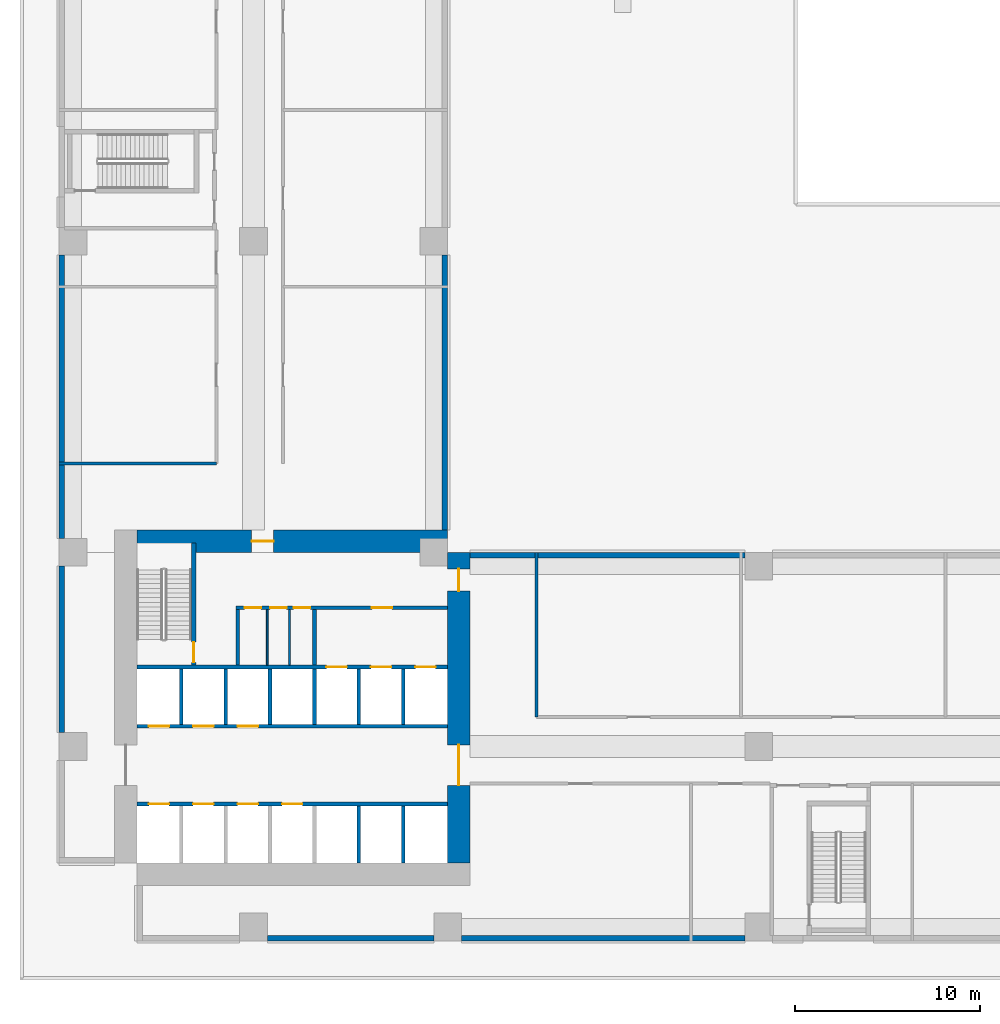
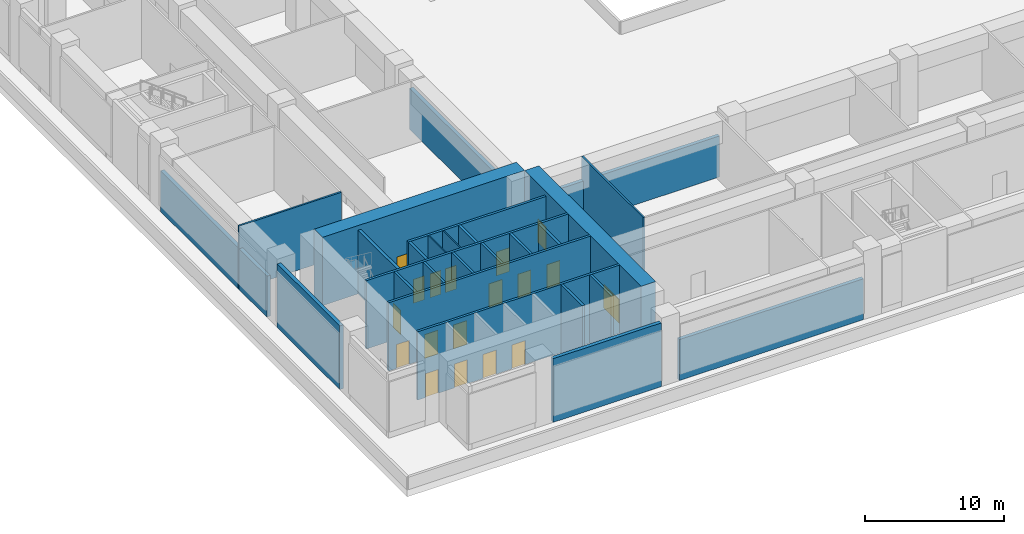
# One storey, part 2 of 11: 27 walls, 18 doors, 18 openings.
"""IFC4 building model written with IfcOpenShell, lengths in metres."""

from ifc_helpers import new_model, si_unit, direction, frame, frame_2d, origin, place, context, subcontext, project, spatial, rectangle, extrude, source, transform, mapped, material, layer, layer_set, type_object, element, fill, save


model = new_model("IFC4")

# Units and contexts
model_context = context("Model", 3, precision=1e-05, world=origin(), true_north=direction((0.0, 1.0)))
body_context = subcontext(model_context, "Body", "Model", "MODEL_VIEW")
ifc_project = project(units=[si_unit("LENGTHUNIT", "METRE"), si_unit("AREAUNIT", "SQUARE_METRE"), si_unit("VOLUMEUNIT", "CUBIC_METRE"), si_unit("PLANEANGLEUNIT", "RADIAN"), si_unit("MASSUNIT", "GRAM", prefix="KILO")], contexts=[model_context])

# Site, building, storey
site_placement = place(None, origin())
site = spatial("IfcSite", under=ifc_project, at=site_placement, CompositionType="ELEMENT")
building_placement = place(site_placement, origin())
building = spatial("IfcBuilding", under=site, at=building_placement, Name="Aurelian Terraces", CompositionType="ELEMENT")
storey_placement = place(building_placement, frame((0.0, 0.0, 34.5)))
storey = spatial("IfcBuildingStorey", under=building, at=storey_placement, Name="L06", CompositionType="ELEMENT", Elevation=34.5)

# Wall, openings, doors
ifc_material_1 = material(Name="Concrete fc' 83 MPa", Category="concrete")
ifc_layer_1 = layer(ifc_material_1, 1.2)
ifc_layer_set_1 = layer_set([ifc_layer_1], Name="CORE WALL 1200 FC83")
wall_type_1 = type_object("IfcWallType", Name="CORE WALL 1200 FC83", PredefinedType="SHEAR", material=ifc_layer_set_1)
wall_1_placement = place(storey_placement, frame((21.6, 4.2, 0.0), z_axis=(0.0, 0.0, 1.0), x_axis=(0.0, 1.0, 0.0)))
wall_1 = element("IfcWall", 1, at=wall_1_placement, inside=storey, type_object=wall_type_1, Name="Core wall E L06", PredefinedType="SHEAR", context=body_context, shape_type="SweptSolid", body=[
    extrude(rectangle(XDim=16.8, YDim=1.2, at=frame_2d((8.4, 0.0))), origin(), (0.0, 0.0, 1.0), 6.0),
])
shared_shape_1 = source(origin(), body_context, "Body", "SweptSolid", [
    extrude(rectangle(XDim=2.2, YDim=2.1, at=frame_2d((1.1, 1.05))), frame((0.0, 0.61, 0.0), z_axis=(0.0, -1.0, 0.0), x_axis=(1.0, 0.0, 0.0)), (0.0, 0.0, 1.0), 1.22),
])
opening_1_placement = place(wall_1_placement, frame((4.2, 0.0, 0.0)))
opening_1 = element("IfcOpeningElement", 2, at=opening_1_placement, cuts=wall_1, Name="Opening 60921", PredefinedType="OPENING", context=body_context, shape_type="MappedRepresentation", body=[
    mapped(shared_shape_1, transform((0.0, 0.0, 0.0), scale=1.0)),
])
shared_shape_2 = source(origin(), body_context, "Body", "SweptSolid", [
    extrude(rectangle(XDim=1.2, YDim=2.1, at=frame_2d((0.6, 1.05))), frame((0.0, 0.61, 0.0), z_axis=(0.0, -1.0, 0.0), x_axis=(1.0, 0.0, 0.0)), (0.0, 0.0, 1.0), 1.22),
])
opening_2_placement = place(wall_1_placement, frame((14.7, 0.0, 0.0)))
opening_2 = element("IfcOpeningElement", 3, at=opening_2_placement, cuts=wall_1, Name="Opening 60924", PredefinedType="OPENING", context=body_context, shape_type="MappedRepresentation", body=[
    mapped(shared_shape_2, transform((0.0, 0.0, 0.0), scale=1.0)),
])
ifc_material_2 = material(Name="Steel door leaf", Category="steel")
door_type_1 = type_object("IfcDoorType", Name="Core fire door 1200x2100", OperationType="SINGLE_SWING_LEFT", PredefinedType="DOOR", material=ifc_material_2)
shared_shape_3 = source(origin(), body_context, "Body", "SweptSolid", [
    extrude(rectangle(XDim=1.2, YDim=2.1, at=frame_2d((0.6, 1.05))), frame((0.0, 0.025, 0.0), z_axis=(0.0, -1.0, 0.0), x_axis=(1.0, 0.0, 0.0)), (0.0, 0.0, 1.0), 0.05),
])
door_1_placement = place(opening_2_placement, origin())
door_1 = element("IfcDoor", 4, at=door_1_placement, inside=storey, type_object=door_type_1, Name="Core door 60924", OperationType="SINGLE_SWING_LEFT", OverallHeight=2.1, OverallWidth=1.2, PredefinedType="DOOR", context=body_context, shape_type="MappedRepresentation", body=[
    mapped(shared_shape_3, transform((0.0, 0.0, 0.0), scale=1.0)),
])
fill(opening_2, door_1)
door_type_2 = type_object("IfcDoorType", Name="Core double door 2200x2100", OperationType="DOUBLE_DOOR_SINGLE_SWING", PredefinedType="DOOR", material=ifc_material_2)
shared_shape_4 = source(origin(), body_context, "Body", "SweptSolid", [
    extrude(rectangle(XDim=2.2, YDim=2.1, at=frame_2d((1.1, 1.05))), frame((0.0, 0.025, 0.0), z_axis=(0.0, -1.0, 0.0), x_axis=(1.0, 0.0, 0.0)), (0.0, 0.0, 1.0), 0.05),
])
door_2_placement = place(opening_1_placement, origin())
door_2 = element("IfcDoor", 5, at=door_2_placement, inside=storey, type_object=door_type_2, Name="Core door 60921", OperationType="DOUBLE_DOOR_SINGLE_SWING", OverallHeight=2.1, OverallWidth=2.2, PredefinedType="DOOR", context=body_context, shape_type="MappedRepresentation", body=[
    mapped(shared_shape_4, transform((0.0, 0.0, 0.0), scale=1.0)),
])
fill(opening_1, door_2)

# Walls
ifc_material_3 = material(Name="Gypsum board on steel studs", Category="steel")
ifc_layer_2 = layer(ifc_material_3, 0.1)
ifc_layer_set_2 = layer_set([ifc_layer_2], Name="Core partition 100")
wall_type_2 = type_object("IfcWallType", Name="Core partition 100", PredefinedType="PARTITIONING", material=ifc_layer_set_2)
wall_2_placement = place(storey_placement, frame((11.25, 14.9, 0.0), z_axis=(0.0, 0.0, 1.0), x_axis=(0.0, 1.0, 0.0)))
element("IfcWall", 6, at=wall_2_placement, inside=storey, type_object=wall_type_2, Name="L06 core wall CP-SV1", PredefinedType="PARTITIONING", context=body_context, shape_type="SweptSolid", body=[
    extrude(rectangle(XDim=3.0, YDim=0.1, at=frame_2d((1.5, 0.0))), origin(), (0.0, 0.0, 1.0), 5.6),
])
ifc_layer_3 = layer(ifc_material_3, 0.2)
ifc_layer_set_3 = layer_set([ifc_layer_3], Name="Core partition 200")
wall_type_3 = type_object("IfcWallType", Name="Core partition 200", PredefinedType="PARTITIONING", material=ifc_layer_set_3)
wall_3_placement = place(storey_placement, frame((9.65, 14.9, 0.0), z_axis=(0.0, 0.0, 1.0), x_axis=(0.0, 1.0, 0.0)))
element("IfcWall", 7, at=wall_3_placement, inside=storey, type_object=wall_type_3, Name="L06 core wall CP-VEST", PredefinedType="PARTITIONING", context=body_context, shape_type="SweptSolid", body=[
    extrude(rectangle(XDim=3.0, YDim=0.2, at=frame_2d((1.5, 0.0))), origin(), (0.0, 0.0, 1.0), 5.6),
])

# Wall, openings, doors
wall_4_placement = place(storey_placement, frame((9.55, 18.0, 0.0), z_axis=(0.0, 0.0, 1.0), x_axis=(1.0, 0.0, 0.0)))
wall_4 = element("IfcWall", 8, at=wall_4_placement, inside=storey, type_object=wall_type_3, Name="L06 core wall CP-NORTH", PredefinedType="PARTITIONING", context=body_context, shape_type="SweptSolid", body=[
    extrude(rectangle(XDim=11.45, YDim=0.2, at=frame_2d((5.725, 0.0))), origin(), (0.0, 0.0, 1.0), 5.6),
])
shared_shape_5 = source(origin(), body_context, "Body", "SweptSolid", [
    extrude(rectangle(XDim=0.9, YDim=2.1, at=frame_2d((0.45, 1.05))), frame((0.0, 0.11, 0.0), z_axis=(0.0, -1.0, 0.0), x_axis=(1.0, 0.0, 0.0)), (0.0, 0.0, 1.0), 0.22),
])
opening_3_placement = place(wall_4_placement, frame((0.475, 0.0, 0.0)))
opening_3 = element("IfcOpeningElement", 9, at=opening_3_placement, cuts=wall_4, Name="Opening 60911", PredefinedType="OPENING", context=body_context, shape_type="MappedRepresentation", body=[
    mapped(shared_shape_5, transform((0.0, 0.0, 0.0), scale=1.0)),
])
opening_4_placement = place(wall_4_placement, frame((1.85, 0.0, 0.0)))
opening_4 = element("IfcOpeningElement", 10, at=opening_4_placement, cuts=wall_4, Name="Opening 60912", PredefinedType="OPENING", context=body_context, shape_type="MappedRepresentation", body=[
    mapped(shared_shape_5, transform((0.0, 0.0, 0.0), scale=1.0)),
])
opening_5_placement = place(wall_4_placement, frame((3.125, 0.0, 0.0)))
opening_5 = element("IfcOpeningElement", 11, at=opening_5_placement, cuts=wall_4, Name="Opening 60913", PredefinedType="OPENING", context=body_context, shape_type="MappedRepresentation", body=[
    mapped(shared_shape_5, transform((0.0, 0.0, 0.0), scale=1.0)),
])
shared_shape_6 = source(origin(), body_context, "Body", "SweptSolid", [
    extrude(rectangle(XDim=1.1, YDim=2.1, at=frame_2d((0.55, 1.05))), frame((0.0, 0.11, 0.0), z_axis=(0.0, -1.0, 0.0), x_axis=(1.0, 0.0, 0.0)), (0.0, 0.0, 1.0), 0.22),
])
opening_6_placement = place(wall_4_placement, frame((7.35, 0.0, 0.0)))
opening_6 = element("IfcOpeningElement", 12, at=opening_6_placement, cuts=wall_4, Name="Opening 60914", PredefinedType="OPENING", context=body_context, shape_type="MappedRepresentation", body=[
    mapped(shared_shape_6, transform((0.0, 0.0, 0.0), scale=1.0)),
])
door_type_3 = type_object("IfcDoorType", Name="Core service door 900x2100", OperationType="SINGLE_SWING_LEFT", PredefinedType="DOOR", material=ifc_material_2)
shared_shape_7 = source(origin(), body_context, "Body", "SweptSolid", [
    extrude(rectangle(XDim=0.9, YDim=2.1, at=frame_2d((0.45, 1.05))), frame((0.0, 0.025, 0.0), z_axis=(0.0, -1.0, 0.0), x_axis=(1.0, 0.0, 0.0)), (0.0, 0.0, 1.0), 0.05),
])
door_3_placement = place(opening_3_placement, origin())
door_3 = element("IfcDoor", 13, at=door_3_placement, inside=storey, type_object=door_type_3, Name="Room door 60911", OperationType="SINGLE_SWING_LEFT", OverallHeight=2.1, OverallWidth=0.9, PredefinedType="DOOR", context=body_context, shape_type="MappedRepresentation", body=[
    mapped(shared_shape_7, transform((0.0, 0.0, 0.0), scale=1.0)),
])
fill(opening_3, door_3)
door_type_4 = type_object("IfcDoorType", Name="Core riser door 900x2100 right", OperationType="SINGLE_SWING_RIGHT", PredefinedType="DOOR", material=ifc_material_2)
door_4_placement = place(opening_4_placement, origin())
door_4 = element("IfcDoor", 14, at=door_4_placement, inside=storey, type_object=door_type_4, Name="Room door 60912", OperationType="SINGLE_SWING_RIGHT", OverallHeight=2.1, OverallWidth=0.9, PredefinedType="DOOR", context=body_context, shape_type="MappedRepresentation", body=[
    mapped(shared_shape_7, transform((0.0, 0.0, 0.0), scale=1.0)),
])
fill(opening_4, door_4)
door_5_placement = place(opening_5_placement, origin())
door_5 = element("IfcDoor", 15, at=door_5_placement, inside=storey, type_object=door_type_3, Name="Room door 60913", OperationType="SINGLE_SWING_LEFT", OverallHeight=2.1, OverallWidth=0.9, PredefinedType="DOOR", context=body_context, shape_type="MappedRepresentation", body=[
    mapped(shared_shape_7, transform((0.0, 0.0, 0.0), scale=1.0)),
])
fill(opening_5, door_5)
door_type_5 = type_object("IfcDoorType", Name="Core fire door 1100x2100 right", OperationType="SINGLE_SWING_RIGHT", PredefinedType="DOOR", material=ifc_material_2)
shared_shape_8 = source(origin(), body_context, "Body", "SweptSolid", [
    extrude(rectangle(XDim=1.1, YDim=2.1, at=frame_2d((0.55, 1.05))), frame((0.0, 0.025, 0.0), z_axis=(0.0, -1.0, 0.0), x_axis=(1.0, 0.0, 0.0)), (0.0, 0.0, 1.0), 0.05),
])
door_6_placement = place(opening_6_placement, origin())
door_6 = element("IfcDoor", 16, at=door_6_placement, inside=storey, type_object=door_type_5, Name="Ff lobby door 60914", OperationType="SINGLE_SWING_RIGHT", OverallHeight=2.1, OverallWidth=1.1, PredefinedType="DOOR", context=body_context, shape_type="MappedRepresentation", body=[
    mapped(shared_shape_8, transform((0.0, 0.0, 0.0), scale=1.0)),
])
fill(opening_6, door_6)

# Walls
ifc_material_4 = material(Name="Terracotta rainscreen cladding", Category="masonry")
ifc_layer_4 = layer(ifc_material_4, 0.3)
ifc_layer_set_4 = layer_set([ifc_layer_4], Name="EW-300")
wall_type_4 = type_object("IfcWallType", Name="EW-300", PredefinedType="STANDARD", material=ifc_layer_set_4)
wall_5_placement = place(storey_placement, frame((11.25, 0.15, 0.0), z_axis=(0.0, 0.0, 1.0), x_axis=(1.0, 0.0, 0.0)))
element("IfcWall", 17, at=wall_5_placement, inside=storey, type_object=wall_type_4, Name="External wall L06 F01.2", PredefinedType="STANDARD", context=body_context, shape_type="SweptSolid", body=[
    extrude(rectangle(XDim=9.0, YDim=0.3, at=frame_2d((4.5, 0.0))), origin(), (0.0, 0.0, 1.0), 5.6),
])
wall_6_placement = place(storey_placement, frame((21.75, 0.15, 0.0), z_axis=(0.0, 0.0, 1.0), x_axis=(1.0, 0.0, 0.0)))
element("IfcWall", 18, at=wall_6_placement, inside=storey, type_object=wall_type_4, Name="External wall L06 F01.3", PredefinedType="STANDARD", context=body_context, shape_type="SweptSolid", body=[
    extrude(rectangle(XDim=15.3, YDim=0.3, at=frame_2d((7.65, 0.0))), origin(), (0.0, 0.0, 1.0), 3.6),
])
wall_7_placement = place(storey_placement, frame((37.05, 20.85, 0.0), z_axis=(0.0, 0.0, 1.0), x_axis=(-1.0, 0.0, 0.0)))
element("IfcWall", 19, at=wall_7_placement, inside=storey, type_object=wall_type_4, Name="External wall L06 F07.4", PredefinedType="STANDARD", context=body_context, shape_type="SweptSolid", body=[
    extrude(rectangle(XDim=14.85, YDim=0.3, at=frame_2d((7.425, 0.0))), origin(), (0.0, 0.0, 1.0), 3.6),
])
ifc_material_5 = material(Name="Concrete fc' 40 MPa", Category="concrete")
ifc_layer_5 = layer(ifc_material_5, 0.2)
ifc_layer_set_5 = layer_set([ifc_layer_5], Name="Lift shaft wall 200")
wall_type_5 = type_object("IfcWallType", Name="Lift shaft wall 200", PredefinedType="SOLIDWALL", material=ifc_layer_set_5)
wall_8_placement = place(storey_placement, frame((6.6, 11.7, 0.0), z_axis=(0.0, 0.0, 1.0), x_axis=(0.0, 1.0, 0.0)))
element("IfcWall", 20, at=wall_8_placement, inside=storey, type_object=wall_type_5, Name="L06 core wall CD-B1", PredefinedType="SOLIDWALL", context=body_context, shape_type="SweptSolid", body=[
    extrude(rectangle(XDim=3.0, YDim=0.2, at=frame_2d((1.5, 0.0))), origin(), (0.0, 0.0, 1.0), 6.0),
])

# Wall, openings, doors
wall_9_placement = place(storey_placement, frame((4.2, 7.4, 0.0), z_axis=(0.0, 0.0, 1.0), x_axis=(1.0, 0.0, 0.0)))
wall_9 = element("IfcWall", 21, at=wall_9_placement, inside=storey, type_object=wall_type_5, Name="L06 core wall CF-AF1", PredefinedType="SOLIDWALL", context=body_context, shape_type="SweptSolid", body=[
    extrude(rectangle(XDim=16.8, YDim=0.2, at=frame_2d((8.4, 0.0))), origin(), (0.0, 0.0, 1.0), 6.0),
])
opening_7_placement = place(wall_9_placement, frame((0.65, 0.0, 0.0)))
opening_7 = element("IfcOpeningElement", 22, at=opening_7_placement, cuts=wall_9, Name="Opening 60900", PredefinedType="OPENING", context=body_context, shape_type="MappedRepresentation", body=[
    mapped(shared_shape_6, transform((0.0, 0.0, 0.0), scale=1.0)),
])
opening_8_placement = place(wall_9_placement, frame((3.05, 0.0, 0.0)))
opening_8 = element("IfcOpeningElement", 23, at=opening_8_placement, cuts=wall_9, Name="Opening 60901", PredefinedType="OPENING", context=body_context, shape_type="MappedRepresentation", body=[
    mapped(shared_shape_6, transform((0.0, 0.0, 0.0), scale=1.0)),
])
opening_9_placement = place(wall_9_placement, frame((5.45, 0.0, 0.0)))
opening_9 = element("IfcOpeningElement", 24, at=opening_9_placement, cuts=wall_9, Name="Opening 60902", PredefinedType="OPENING", context=body_context, shape_type="MappedRepresentation", body=[
    mapped(shared_shape_6, transform((0.0, 0.0, 0.0), scale=1.0)),
])
opening_10_placement = place(wall_9_placement, frame((7.85, 0.0, 0.0)))
opening_10 = element("IfcOpeningElement", 25, at=opening_10_placement, cuts=wall_9, Name="Opening 60903", PredefinedType="OPENING", context=body_context, shape_type="MappedRepresentation", body=[
    mapped(shared_shape_6, transform((0.0, 0.0, 0.0), scale=1.0)),
])
ifc_material_6 = material(Name="Stainless steel", Category="steel")
door_type_6 = type_object("IfcDoorType", Name="Lift landing door 1100x2100", OperationType="SLIDING_TO_LEFT", PredefinedType="DOOR", material=ifc_material_6)
door_7_placement = place(opening_7_placement, origin())
door_7 = element("IfcDoor", 26, at=door_7_placement, inside=storey, type_object=door_type_6, Name="Lift landing door LL1 L06", OperationType="SLIDING_TO_LEFT", OverallHeight=2.1, OverallWidth=1.1, PredefinedType="DOOR", context=body_context, shape_type="MappedRepresentation", body=[
    mapped(shared_shape_8, transform((0.0, 0.0, 0.0), scale=1.0)),
])
fill(opening_7, door_7)
door_8_placement = place(opening_8_placement, origin())
door_8 = element("IfcDoor", 27, at=door_8_placement, inside=storey, type_object=door_type_6, Name="Lift landing door LL2 L06", OperationType="SLIDING_TO_LEFT", OverallHeight=2.1, OverallWidth=1.1, PredefinedType="DOOR", context=body_context, shape_type="MappedRepresentation", body=[
    mapped(shared_shape_8, transform((0.0, 0.0, 0.0), scale=1.0)),
])
fill(opening_8, door_8)
door_9_placement = place(opening_9_placement, origin())
door_9 = element("IfcDoor", 28, at=door_9_placement, inside=storey, type_object=door_type_6, Name="Lift landing door LL3 L06", OperationType="SLIDING_TO_LEFT", OverallHeight=2.1, OverallWidth=1.1, PredefinedType="DOOR", context=body_context, shape_type="MappedRepresentation", body=[
    mapped(shared_shape_8, transform((0.0, 0.0, 0.0), scale=1.0)),
])
fill(opening_9, door_9)
door_10_placement = place(opening_10_placement, origin())
door_10 = element("IfcDoor", 29, at=door_10_placement, inside=storey, type_object=door_type_6, Name="Lift landing door LL4 L06", OperationType="SLIDING_TO_LEFT", OverallHeight=2.1, OverallWidth=1.1, PredefinedType="DOOR", context=body_context, shape_type="MappedRepresentation", body=[
    mapped(shared_shape_8, transform((0.0, 0.0, 0.0), scale=1.0)),
])
fill(opening_10, door_10)

# Wall
ifc_layer_6 = layer(ifc_material_3, 0.15)
ifc_layer_set_6 = layer_set([ifc_layer_6], Name="Special partition 150")
wall_type_6 = type_object("IfcWallType", Name="Special partition 150", PredefinedType="PARTITIONING", material=ifc_layer_set_6)
wall_10_placement = place(storey_placement, frame((0.0, 25.8, 0.0), z_axis=(0.0, 0.0, 1.0), x_axis=(1.0, 0.0, 0.0)))
element("IfcWall", 30, at=wall_10_placement, inside=storey, type_object=wall_type_6, Name="L06 partition W04", PredefinedType="PARTITIONING", context=body_context, shape_type="SweptSolid", body=[
    extrude(rectangle(XDim=8.5, YDim=0.15, at=frame_2d((4.25, 0.0))), origin(), (0.0, 0.0, 1.0), 5.6),
])

# Wall, opening, door
ifc_layer_7 = layer(ifc_material_5, 0.25)
ifc_layer_set_7 = layer_set([ifc_layer_7], Name="Stair enclosure wall 250")
wall_type_7 = type_object("IfcWallType", Name="Stair enclosure wall 250", PredefinedType="SOLIDWALL", material=ifc_layer_set_7)
wall_11_placement = place(storey_placement, frame((7.275, 14.9, 0.0), z_axis=(0.0, 0.0, 1.0), x_axis=(0.0, 1.0, 0.0)))
wall_11 = element("IfcWall", 31, at=wall_11_placement, inside=storey, type_object=wall_type_7, Name="L06 core wall ST-S1-E", PredefinedType="SOLIDWALL", context=body_context, shape_type="SweptSolid", body=[
    extrude(rectangle(XDim=6.6, YDim=0.25, at=frame_2d((3.3, 0.0))), origin(), (0.0, 0.0, 1.0), 5.6),
])
shared_shape_9 = source(origin(), body_context, "Body", "SweptSolid", [
    extrude(rectangle(XDim=1.1, YDim=2.1, at=frame_2d((0.55, 1.05))), frame((0.0, 0.135, 0.0), z_axis=(0.0, -1.0, 0.0), x_axis=(1.0, 0.0, 0.0)), (0.0, 0.0, 1.0), 0.27),
])
opening_11_placement = place(wall_11_placement, frame((0.15, 0.0, 0.0)))
opening_11 = element("IfcOpeningElement", 32, at=opening_11_placement, cuts=wall_11, Name="Opening 60910", PredefinedType="OPENING", context=body_context, shape_type="MappedRepresentation", body=[
    mapped(shared_shape_9, transform((0.0, 0.0, 0.0), scale=1.0)),
])
door_11_placement = place(opening_11_placement, origin())
door_11 = element("IfcDoor", 33, at=door_11_placement, inside=storey, type_object=door_type_5, Name="Stair door 60910", OperationType="SINGLE_SWING_RIGHT", OverallHeight=2.1, OverallWidth=1.1, PredefinedType="DOOR", context=body_context, shape_type="MappedRepresentation", body=[
    mapped(shared_shape_8, transform((0.0, 0.0, 0.0), scale=1.0)),
])
fill(opening_11, door_11)

shared_shape_10 = source(origin(), body_context, "Body", "SweptSolid", [
    extrude(rectangle(XDim=16.8, YDim=1.2, at=frame_2d((8.4, 0.0))), origin(), (0.0, 0.0, 1.0), 6.0),
])
wall_12_placement = place(storey_placement, frame((4.2, 21.6, 0.0), z_axis=(0.0, 0.0, 1.0), x_axis=(1.0, 0.0, 0.0)))
wall_12 = element("IfcWall", 34, at=wall_12_placement, inside=storey, type_object=wall_type_1, Name="Core wall N L06", PredefinedType="SHEAR", context=body_context, shape_type="MappedRepresentation", body=[
    mapped(shared_shape_10, transform((0.0, 0.0, 0.0), scale=1.0)),
])
opening_12_placement = place(wall_12_placement, frame((6.2, 0.0, 0.0)))
opening_12 = element("IfcOpeningElement", 35, at=opening_12_placement, cuts=wall_12, Name="Opening 60923", PredefinedType="OPENING", context=body_context, shape_type="MappedRepresentation", body=[
    mapped(shared_shape_2, transform((0.0, 0.0, 0.0), scale=1.0)),
])
door_type_7 = type_object("IfcDoorType", Name="Core fire door 1200x2100 right", OperationType="SINGLE_SWING_RIGHT", PredefinedType="DOOR", material=ifc_material_2)
door_12_placement = place(opening_12_placement, origin())
door_12 = element("IfcDoor", 36, at=door_12_placement, inside=storey, type_object=door_type_7, Name="Core door 60923", OperationType="SINGLE_SWING_RIGHT", OverallHeight=2.1, OverallWidth=1.2, PredefinedType="DOOR", context=body_context, shape_type="MappedRepresentation", body=[
    mapped(shared_shape_3, transform((0.0, 0.0, 0.0), scale=1.0)),
])
fill(opening_12, door_12)

# Walls
shared_shape_11 = source(origin(), body_context, "Body", "SweptSolid", [
    extrude(rectangle(XDim=14.85, YDim=0.3, at=frame_2d((7.425, 0.0))), origin(), (0.0, 0.0, 1.0), 3.6),
])
wall_13_placement = place(storey_placement, frame((20.85, 22.2, 0.0), z_axis=(0.0, 0.0, 1.0), x_axis=(0.0, 1.0, 0.0)))
element("IfcWall", 37, at=wall_13_placement, inside=storey, type_object=wall_type_4, Name="External wall L06 F08.1", PredefinedType="STANDARD", context=body_context, shape_type="MappedRepresentation", body=[
    mapped(shared_shape_11, transform((0.0, 0.0, 0.0), scale=1.0)),
])
shared_shape_12 = source(origin(), body_context, "Body", "SweptSolid", [
    extrude(rectangle(XDim=15.3, YDim=0.3, at=frame_2d((7.65, 0.0))), origin(), (0.0, 0.0, 1.0), 3.6),
])
wall_14_placement = place(storey_placement, frame((0.15, 37.05, 0.0), z_axis=(0.0, 0.0, 1.0), x_axis=(0.0, -1.0, 0.0)))
element("IfcWall", 38, at=wall_14_placement, inside=storey, type_object=wall_type_4, Name="External wall L06 F14.6", PredefinedType="STANDARD", context=body_context, shape_type="MappedRepresentation", body=[
    mapped(shared_shape_12, transform((0.0, 0.0, 0.0), scale=1.0)),
])
shared_shape_13 = source(origin(), body_context, "Body", "SweptSolid", [
    extrude(rectangle(XDim=9.0, YDim=0.3, at=frame_2d((4.5, 0.0))), origin(), (0.0, 0.0, 1.0), 5.6),
])
wall_15_placement = place(storey_placement, frame((0.15, 20.25, 0.0), z_axis=(0.0, 0.0, 1.0), x_axis=(0.0, -1.0, 0.0)))
element("IfcWall", 39, at=wall_15_placement, inside=storey, type_object=wall_type_4, Name="External wall L06 F14.7", PredefinedType="STANDARD", context=body_context, shape_type="MappedRepresentation", body=[
    mapped(shared_shape_13, transform((0.0, 0.0, 0.0), scale=1.0)),
])
shared_shape_14 = source(origin(), body_context, "Body", "SweptSolid", [
    extrude(rectangle(XDim=3.1, YDim=0.2, at=frame_2d((1.55, 0.0))), origin(), (0.0, 0.0, 1.0), 6.0),
])
for number, where, z_axis, x_axis, name in (
    (40, (16.2, 4.2, 0.0), (0.0, 0.0, 1.0), (0.0, 1.0, 0.0), "L06 core wall CD-A5"),
    (41, (18.6, 4.2, 0.0), (0.0, 0.0, 1.0), (0.0, 1.0, 0.0), "L06 core wall CD-A6"),
):
    element("IfcWall", number, at=place(storey_placement, frame(where, z_axis=z_axis, x_axis=x_axis)), inside=storey, type_object=wall_type_5, Name=name, PredefinedType="SOLIDWALL", context=body_context, shape_type="MappedRepresentation", body=[
        mapped(shared_shape_14, transform((0.0, 0.0, 0.0), scale=1.0)),
    ])
shared_shape_15 = source(origin(), body_context, "Body", "SweptSolid", [
    extrude(rectangle(XDim=3.0, YDim=0.2, at=frame_2d((1.5, 0.0))), origin(), (0.0, 0.0, 1.0), 6.0),
])
for number, where, z_axis, x_axis, name in (
    (42, (9.0, 11.7, 0.0), (0.0, 0.0, 1.0), (0.0, 1.0, 0.0), "L06 core wall CD-B2"),
    (43, (11.4, 11.7, 0.0), (0.0, 0.0, 1.0), (0.0, 1.0, 0.0), "L06 core wall CD-B3"),
    (44, (13.8, 11.7, 0.0), (0.0, 0.0, 1.0), (0.0, 1.0, 0.0), "L06 core wall CD-B4"),
    (45, (16.2, 11.7, 0.0), (0.0, 0.0, 1.0), (0.0, 1.0, 0.0), "L06 core wall CD-B5"),
    (46, (18.6, 11.7, 0.0), (0.0, 0.0, 1.0), (0.0, 1.0, 0.0), "L06 core wall CD-B6"),
):
    element("IfcWall", number, at=place(storey_placement, frame(where, z_axis=z_axis, x_axis=x_axis)), inside=storey, type_object=wall_type_5, Name=name, PredefinedType="SOLIDWALL", context=body_context, shape_type="MappedRepresentation", body=[
        mapped(shared_shape_15, transform((0.0, 0.0, 0.0), scale=1.0)),
    ])

# Wall, openings, doors
shared_shape_16 = source(origin(), body_context, "Body", "SweptSolid", [
    extrude(rectangle(XDim=16.8, YDim=0.2, at=frame_2d((8.4, 0.0))), origin(), (0.0, 0.0, 1.0), 6.0),
])
wall_16_placement = place(storey_placement, frame((4.2, 11.6, 0.0), z_axis=(0.0, 0.0, 1.0), x_axis=(1.0, 0.0, 0.0)))
wall_16 = element("IfcWall", 47, at=wall_16_placement, inside=storey, type_object=wall_type_5, Name="L06 core wall CF-BF1", PredefinedType="SOLIDWALL", context=body_context, shape_type="MappedRepresentation", body=[
    mapped(shared_shape_16, transform((0.0, 0.0, 0.0), scale=1.0)),
])
opening_13_placement = place(wall_16_placement, frame((0.65, 0.0, 0.0)))
opening_13 = element("IfcOpeningElement", 48, at=opening_13_placement, cuts=wall_16, Name="Opening 60904", PredefinedType="OPENING", context=body_context, shape_type="MappedRepresentation", body=[
    mapped(shared_shape_6, transform((0.0, 0.0, 0.0), scale=1.0)),
])
opening_14_placement = place(wall_16_placement, frame((3.05, 0.0, 0.0)))
opening_14 = element("IfcOpeningElement", 49, at=opening_14_placement, cuts=wall_16, Name="Opening 60905", PredefinedType="OPENING", context=body_context, shape_type="MappedRepresentation", body=[
    mapped(shared_shape_6, transform((0.0, 0.0, 0.0), scale=1.0)),
])
opening_15_placement = place(wall_16_placement, frame((5.45, 0.0, 0.0)))
opening_15 = element("IfcOpeningElement", 50, at=opening_15_placement, cuts=wall_16, Name="Opening 60906", PredefinedType="OPENING", context=body_context, shape_type="MappedRepresentation", body=[
    mapped(shared_shape_6, transform((0.0, 0.0, 0.0), scale=1.0)),
])
door_13_placement = place(opening_13_placement, origin())
door_13 = element("IfcDoor", 51, at=door_13_placement, inside=storey, type_object=door_type_6, Name="Lift landing door LL5 L06", OperationType="SLIDING_TO_LEFT", OverallHeight=2.1, OverallWidth=1.1, PredefinedType="DOOR", context=body_context, shape_type="MappedRepresentation", body=[
    mapped(shared_shape_8, transform((0.0, 0.0, 0.0), scale=1.0)),
])
fill(opening_13, door_13)
door_14_placement = place(opening_14_placement, origin())
door_14 = element("IfcDoor", 52, at=door_14_placement, inside=storey, type_object=door_type_6, Name="Lift landing door LL6 L06", OperationType="SLIDING_TO_LEFT", OverallHeight=2.1, OverallWidth=1.1, PredefinedType="DOOR", context=body_context, shape_type="MappedRepresentation", body=[
    mapped(shared_shape_8, transform((0.0, 0.0, 0.0), scale=1.0)),
])
fill(opening_14, door_14)
door_15_placement = place(opening_15_placement, origin())
door_15 = element("IfcDoor", 53, at=door_15_placement, inside=storey, type_object=door_type_6, Name="Lift landing door LL7 L06", OperationType="SLIDING_TO_LEFT", OverallHeight=2.1, OverallWidth=1.1, PredefinedType="DOOR", context=body_context, shape_type="MappedRepresentation", body=[
    mapped(shared_shape_8, transform((0.0, 0.0, 0.0), scale=1.0)),
])
fill(opening_15, door_15)

wall_17_placement = place(storey_placement, frame((4.2, 14.8, 0.0), z_axis=(0.0, 0.0, 1.0), x_axis=(1.0, 0.0, 0.0)))
wall_17 = element("IfcWall", 54, at=wall_17_placement, inside=storey, type_object=wall_type_5, Name="L06 core wall CF-BB1", PredefinedType="SOLIDWALL", context=body_context, shape_type="MappedRepresentation", body=[
    mapped(shared_shape_16, transform((0.0, 0.0, 0.0), scale=1.0)),
])
opening_16_placement = place(wall_17_placement, frame((10.25, 0.0, 0.0)))
opening_16 = element("IfcOpeningElement", 55, at=opening_16_placement, cuts=wall_17, Name="Opening 60907", PredefinedType="OPENING", context=body_context, shape_type="MappedRepresentation", body=[
    mapped(shared_shape_6, transform((0.0, 0.0, 0.0), scale=1.0)),
])
opening_17_placement = place(wall_17_placement, frame((12.65, 0.0, 0.0)))
opening_17 = element("IfcOpeningElement", 56, at=opening_17_placement, cuts=wall_17, Name="Opening 60908", PredefinedType="OPENING", context=body_context, shape_type="MappedRepresentation", body=[
    mapped(shared_shape_6, transform((0.0, 0.0, 0.0), scale=1.0)),
])
opening_18_placement = place(wall_17_placement, frame((15.05, 0.0, 0.0)))
opening_18 = element("IfcOpeningElement", 57, at=opening_18_placement, cuts=wall_17, Name="Opening 60909", PredefinedType="OPENING", context=body_context, shape_type="MappedRepresentation", body=[
    mapped(shared_shape_6, transform((0.0, 0.0, 0.0), scale=1.0)),
])
door_16_placement = place(opening_16_placement, origin())
door_16 = element("IfcDoor", 58, at=door_16_placement, inside=storey, type_object=door_type_6, Name="Lift landing door F1 L06", OperationType="SLIDING_TO_LEFT", OverallHeight=2.1, OverallWidth=1.1, PredefinedType="DOOR", context=body_context, shape_type="MappedRepresentation", body=[
    mapped(shared_shape_8, transform((0.0, 0.0, 0.0), scale=1.0)),
])
fill(opening_16, door_16)
door_17_placement = place(opening_17_placement, origin())
door_17 = element("IfcDoor", 59, at=door_17_placement, inside=storey, type_object=door_type_6, Name="Lift landing door F2 L06", OperationType="SLIDING_TO_LEFT", OverallHeight=2.1, OverallWidth=1.1, PredefinedType="DOOR", context=body_context, shape_type="MappedRepresentation", body=[
    mapped(shared_shape_8, transform((0.0, 0.0, 0.0), scale=1.0)),
])
fill(opening_17, door_17)
door_18_placement = place(opening_18_placement, origin())
door_18 = element("IfcDoor", 60, at=door_18_placement, inside=storey, type_object=door_type_6, Name="Lift landing door F3 L06", OperationType="SLIDING_TO_LEFT", OverallHeight=2.1, OverallWidth=1.1, PredefinedType="DOOR", context=body_context, shape_type="MappedRepresentation", body=[
    mapped(shared_shape_8, transform((0.0, 0.0, 0.0), scale=1.0)),
])
fill(opening_18, door_18)

# Walls
shared_shape_17 = source(origin(), body_context, "Body", "SweptSolid", [
    extrude(rectangle(XDim=3.0, YDim=0.2, at=frame_2d((1.5, 0.0))), origin(), (0.0, 0.0, 1.0), 5.6),
])
wall_18_placement = place(storey_placement, frame((13.8, 14.9, 0.0), z_axis=(0.0, 0.0, 1.0), x_axis=(0.0, 1.0, 0.0)))
element("IfcWall", 61, at=wall_18_placement, inside=storey, type_object=wall_type_3, Name="L06 core wall CP-FFL", PredefinedType="PARTITIONING", context=body_context, shape_type="MappedRepresentation", body=[
    mapped(shared_shape_17, transform((0.0, 0.0, 0.0), scale=1.0)),
])
shared_shape_18 = source(origin(), body_context, "Body", "SweptSolid", [
    extrude(rectangle(XDim=3.0, YDim=0.1, at=frame_2d((1.5, 0.0))), origin(), (0.0, 0.0, 1.0), 5.6),
])
wall_19_placement = place(storey_placement, frame((12.45, 14.9, 0.0), z_axis=(0.0, 0.0, 1.0), x_axis=(0.0, 1.0, 0.0)))
element("IfcWall", 62, at=wall_19_placement, inside=storey, type_object=wall_type_2, Name="L06 core wall CP-SV2", PredefinedType="PARTITIONING", context=body_context, shape_type="MappedRepresentation", body=[
    mapped(shared_shape_18, transform((0.0, 0.0, 0.0), scale=1.0)),
])
shared_shape_19 = source(origin(), body_context, "Body", "SweptSolid", [
    extrude(rectangle(XDim=8.9, YDim=0.15, at=frame_2d((4.45, 0.0))), origin(), (0.0, 0.0, 1.0), 5.6),
])
wall_20_placement = place(storey_placement, frame((25.8, 12.1, 0.0), z_axis=(0.0, 0.0, 1.0), x_axis=(0.0, 1.0, 0.0)))
element("IfcWall", 63, at=wall_20_placement, inside=storey, type_object=wall_type_6, Name="L06 partition W14", PredefinedType="PARTITIONING", context=body_context, shape_type="MappedRepresentation", body=[
    mapped(shared_shape_19, transform((0.0, 0.0, 0.0), scale=1.0)),
])

save(model, "model.ifc")
